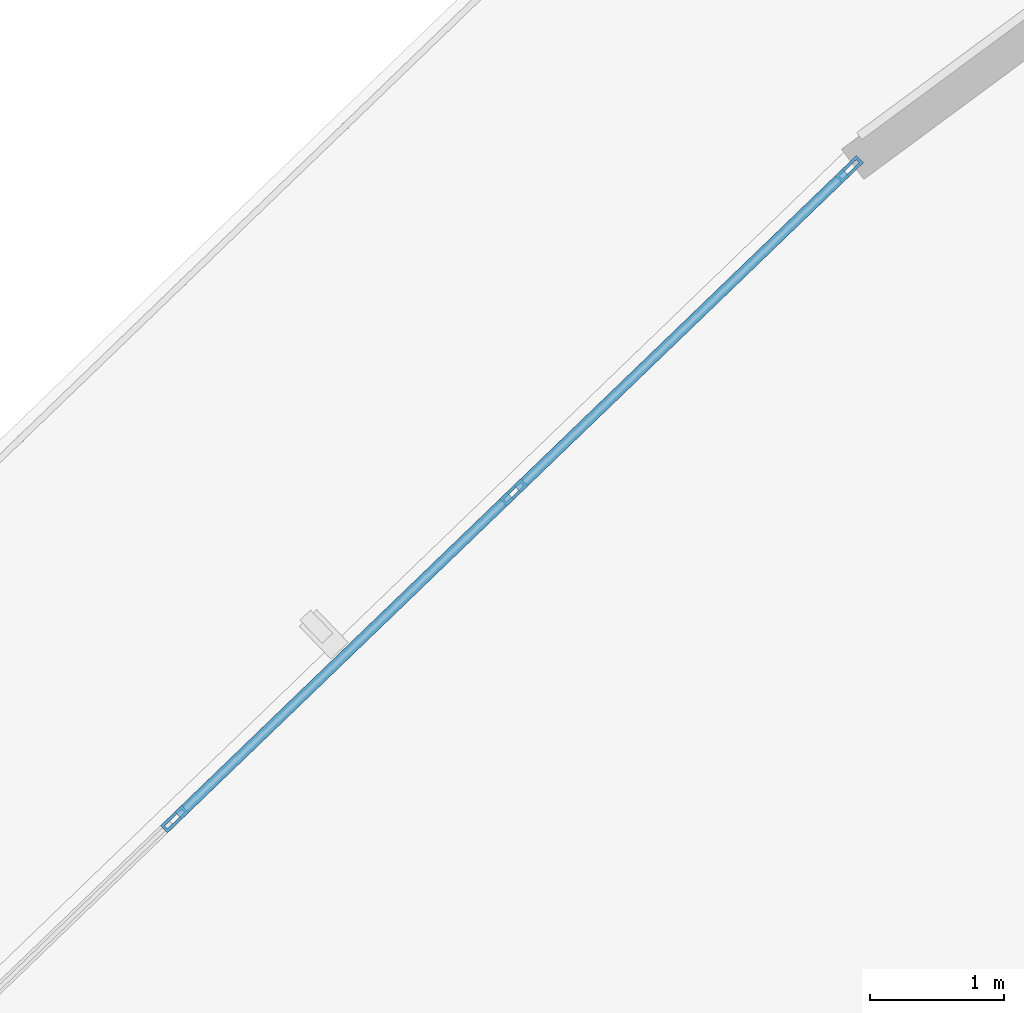
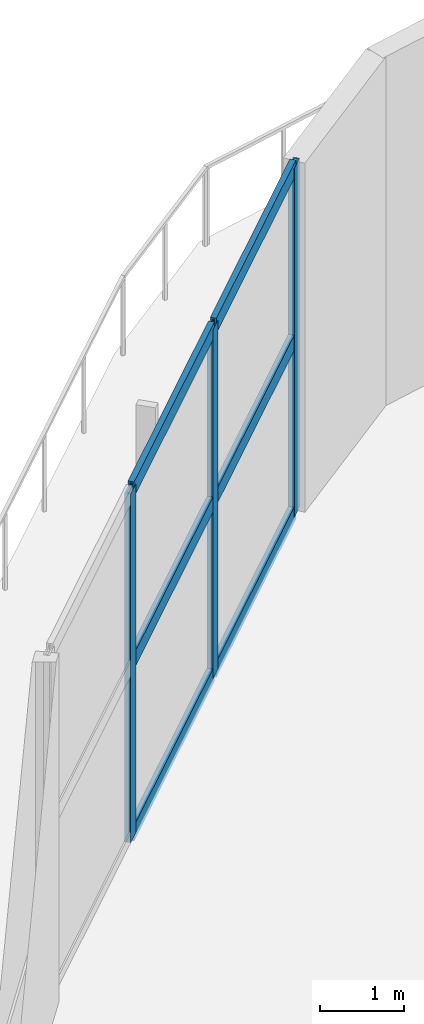
# One storey, part 10 of 25: 9 members, 1 element without a shape of its own.
"""IFC4 building model written with IfcOpenShell, lengths in metres."""

import ifcopenshell
import ifcopenshell.guid

model = None  # the IFC model being written
_history = None  # IfcOwnerHistory: only IFC2X3 demands one
_inside = {}  # id of a spatial element -> (the spatial element, [elements in it])
_under = {}  # id of a project, library or spatial element -> (it, [spatial elements below it])
_declared = {}  # id of a project -> (the project, [libraries it declares])
_typed = {}  # id of a type object -> (the type object, [elements of that type])
_made_of = {}  # id of a material, layer set ... -> (it, [elements and type objects made of it])


def new_model(schema):
    """Start an empty IFC model of exactly this schema.

    Asked for "IFC4X3", IfcOpenShell would pick the latest addendum, in which some entities
    have other attributes; the version numbers below select the first issue.
    IFC2X3 requires an IfcOwnerHistory on every rooted entity: one is made here for all.
    """
    global model, _history
    if schema == "IFC4X3":
        model = ifcopenshell.file(schema_version=(4, 3, 0, 0))
    else:
        model = ifcopenshell.file(schema=schema)
    _inside.clear()
    _under.clear()
    _declared.clear()
    _typed.clear()
    _made_of.clear()
    _history = None
    if model.schema == "IFC2X3":
        org = make("IfcOrganization", Name="unknown")
        user = make(
            "IfcPersonAndOrganization",
            ThePerson=make("IfcPerson", FamilyName="unknown"),
            TheOrganization=org,
        )
        app = make(
            "IfcApplication",
            ApplicationDeveloper=org,
            Version="unknown",
            ApplicationFullName="unknown",
            ApplicationIdentifier="unknown",
        )
        _history = make(
            "IfcOwnerHistory",
            OwningUser=user,
            OwningApplication=app,
            ChangeAction="ADDED",
            CreationDate=0,
        )
    return model


def make(cls, **values):
    """One entity of the class cls with the attributes given. An attribute that is None is left unset."""
    return model.create_entity(
        cls, **{name: value for name, value in values.items() if value is not None}
    )


def rooted(cls, **values):
    """An entity with a GlobalId (a new one), such as an element, a storey or a relation."""
    return make(cls, GlobalId=ifcopenshell.guid.new(), OwnerHistory=_history, **values)


def si_unit(unit_type, name, prefix=None):
    """IfcSIUnit, for example si_unit("LENGTHUNIT", "METRE", prefix="MILLI")."""
    return make("IfcSIUnit", UnitType=unit_type, Prefix=prefix, Name=name)


def assignment(units):
    """IfcUnitAssignment: the units of a project."""
    return None if units is None else make("IfcUnitAssignment", Units=units)


def point(xyz):
    """IfcCartesianPoint."""
    return None if xyz is None else make("IfcCartesianPoint", Coordinates=xyz)


def direction(xyz):
    """IfcDirection."""
    return None if xyz is None else make("IfcDirection", DirectionRatios=xyz)


def frame(location, z_axis=None, x_axis=None):
    """IfcAxis2Placement3D, a coordinate frame: its origin and axes. An axis left out is left unset."""
    return make(
        "IfcAxis2Placement3D",
        Location=point(location),
        Axis=direction(z_axis),
        RefDirection=direction(x_axis),
    )


def frame_2d(location, x_axis=None):
    """IfcAxis2Placement2D, a coordinate frame in the plane: its origin and x axis."""
    return make(
        "IfcAxis2Placement2D", Location=point(location), RefDirection=direction(x_axis)
    )


def origin():
    """The frame at (0, 0, 0) with its axes left unset."""
    return frame((0.0, 0.0, 0.0))


def origin_2d():
    """The frame at (0, 0) in the plane with its x axis left unset."""
    return frame_2d((0.0, 0.0))


def place(relative_to, where):
    """IfcLocalPlacement: puts the frame where relative to a parent placement (None: the world)."""
    return make(
        "IfcLocalPlacement", PlacementRelTo=relative_to, RelativePlacement=where
    )


def context(
    kind, dimensions, precision=None, world=None, true_north=None, identifier=None
):
    """IfcGeometricRepresentationContext, for example the 3D "Model" context."""
    return make(
        "IfcGeometricRepresentationContext",
        ContextIdentifier=identifier,
        ContextType=kind,
        CoordinateSpaceDimension=dimensions,
        Precision=precision,
        WorldCoordinateSystem=world,
        TrueNorth=true_north,
    )


def subcontext(parent, identifier, kind, view, scale=None):
    """IfcGeometricRepresentationSubContext, for example "Body" below "Model"."""
    return make(
        "IfcGeometricRepresentationSubContext",
        ContextIdentifier=identifier,
        ContextType=kind,
        ParentContext=parent,
        TargetScale=scale,
        TargetView=view,
    )


def project(units=None, contexts=None):
    """IfcProject with its units and contexts."""
    return rooted(
        "IfcProject",
        Name="project",
        RepresentationContexts=contexts,
        UnitsInContext=assignment(units),
    )


def spatial(cls, under=None, at=None, **own):
    """A site, building, storey or space (cls), placed at a placement, below another one or the project."""
    s = rooted(cls, ObjectPlacement=at, **own)
    if under is not None:
        _under.setdefault(under.id(), (under, []))[1].append(s)
    return s


def profile(cls, at=None, kind="AREA", **sizes):
    """A parametric profile (cls). Its sizes go by their IFC names, for example OverallWidth=200.0."""
    return make(cls, ProfileType=kind, Position=at, **sizes)


def hollow_rectangle(**sizes):
    """IfcRectangleHollowProfileDef."""
    return profile("IfcRectangleHollowProfileDef", **sizes)


def extrude(swept, where, along, depth):
    """IfcExtrudedAreaSolid: the profile swept, set in the frame where, extruded along a direction by depth."""
    return make(
        "IfcExtrudedAreaSolid",
        SweptArea=swept,
        Position=where,
        ExtrudedDirection=direction(along),
        Depth=depth,
    )


def shape(context_of_items, identifier, shape_type, items):
    """IfcShapeRepresentation: the items that make up one representation, for example the "Body"."""
    return make(
        "IfcShapeRepresentation",
        ContextOfItems=context_of_items,
        RepresentationIdentifier=identifier,
        RepresentationType=shape_type,
        Items=items,
    )


def source(mapping_origin, context_of_items, identifier, shape_type, items):
    """IfcRepresentationMap: a shape defined once, which mapped items show again and again."""
    return make(
        "IfcRepresentationMap",
        MappingOrigin=mapping_origin,
        MappedRepresentation=shape(context_of_items, identifier, shape_type, items),
    )


def transform(
    local_origin,
    x_axis=None,
    y_axis=None,
    z_axis=None,
    scale=None,
    scale2=None,
    scale3=None,
    uniform=True,
):
    """IfcCartesianTransformationOperator3D, or its non-uniform kind. x_axis, y_axis, z_axis: its Axis1, 2, 3."""
    if uniform:
        return make(
            "IfcCartesianTransformationOperator3D",
            Axis1=direction(x_axis),
            Axis2=direction(y_axis),
            LocalOrigin=point(local_origin),
            Scale=scale,
            Axis3=direction(z_axis),
        )
    return make(
        "IfcCartesianTransformationOperator3DnonUniform",
        Axis1=direction(x_axis),
        Axis2=direction(y_axis),
        LocalOrigin=point(local_origin),
        Scale=scale,
        Axis3=direction(z_axis),
        Scale2=scale2,
        Scale3=scale3,
    )


def mapped(mapping_source, mapping_target):
    """IfcMappedItem: shows the shape of a source again, moved by a transform."""
    return make(
        "IfcMappedItem", MappingSource=mapping_source, MappingTarget=mapping_target
    )


def material(Name=None, Category=None):
    """IfcMaterial."""
    return make("IfcMaterial", Name=Name, Category=Category)


def layer(
    of_material, thickness, ventilated=None, Name=None, Category=None, Priority=None
):
    """IfcMaterialLayer: one layer of a wall or slab, of a material (None: an air gap)."""
    return make(
        "IfcMaterialLayer",
        Material=of_material,
        LayerThickness=thickness,
        IsVentilated=ventilated,
        Name=Name,
        Category=Category,
        Priority=Priority,
    )


def layer_set(layers, Name=None):
    """IfcMaterialLayerSet."""
    return make("IfcMaterialLayerSet", MaterialLayers=layers, LayerSetName=Name)


def material_profile(
    of_material, cross_section, Name=None, Category=None, Priority=None
):
    """IfcMaterialProfile: a cross section and its material."""
    return make(
        "IfcMaterialProfile",
        Name=Name,
        Material=of_material,
        Profile=cross_section,
        Priority=Priority,
        Category=Category,
    )


def profile_set(profiles, Name=None, composite=None):
    """IfcMaterialProfileSet."""
    return make(
        "IfcMaterialProfileSet",
        Name=Name,
        MaterialProfiles=profiles,
        CompositeProfile=composite,
    )


def made_of(thing, what):
    """Note that an element or type object is made of a material, layer set ...; save() writes the relation."""
    if what is not None:
        _made_of.setdefault(what.id(), (what, []))[1].append(thing)
    return thing


def type_object(cls, material=None, **own):
    """A type object (cls), such as IfcWallType, which elements share."""
    return made_of(rooted(cls, **own), material)


def type_shapes(of_type, sources):
    """Give a type object the sources (RepresentationMaps) that its elements show as mapped items."""
    of_type.RepresentationMaps = sources


def element(
    cls,
    number,
    at=None,
    inside=None,
    cuts=None,
    type_object=None,
    material=None,
    context=None,
    identifier="Body",
    shape_type=None,
    held_by="IfcProductDefinitionShape",
    body=None,
    shapes=None,
    **own,
):
    """One element of the class cls, such as IfcWall. Its Tag is "e" and its number.

    at: its placement. inside: the storey or other place that contains it. cuts: it is an
    opening in that element (IfcRelVoidsElement). A single representation is given by context,
    identifier, shape_type and body (its items); several are given by shapes. held_by: the class
    of the entity that holds the representations. save() writes the other relations.
    """
    e = rooted(cls, Tag="e%d" % number, ObjectPlacement=at, **own)
    if body is not None:
        shapes = [shape(context, identifier, shape_type, body)]
    if shapes is not None:
        e.Representation = make(held_by, Representations=shapes)
    if inside is not None:
        _inside.setdefault(inside.id(), (inside, []))[1].append(e)
    if cuts is not None:
        rooted(
            "IfcRelVoidsElement", RelatingBuildingElement=cuts, RelatedOpeningElement=e
        )
    if type_object is not None:
        _typed.setdefault(type_object.id(), (type_object, []))[1].append(e)
    return made_of(e, material)


def aggregate(whole, parts):
    """IfcRelAggregates: a whole, such as a stair, and the parts it consists of."""
    return rooted("IfcRelAggregates", RelatingObject=whole, RelatedObjects=parts)


def save(model, path):
    """Write the relations noted so far, then the file.

    IfcRelAggregates (storeys below a building ...), IfcRelContainedInSpatialStructure (elements
    in a storey), IfcRelDefinesByType, IfcRelAssociatesMaterial and IfcRelDeclares: one each for
    every whole, place, type object, material and project.
    """
    for whole, parts in _under.values():
        aggregate(whole, parts)
    for where, things in _inside.values():
        rooted(
            "IfcRelContainedInSpatialStructure",
            RelatedElements=things,
            RelatingStructure=where,
        )
    for kind, things in _typed.values():
        rooted("IfcRelDefinesByType", RelatedObjects=things, RelatingType=kind)
    for what, things in _made_of.values():
        rooted("IfcRelAssociatesMaterial", RelatedObjects=things, RelatingMaterial=what)
    for by, libraries in _declared.values():
        rooted("IfcRelDeclares", RelatingContext=by, RelatedDefinitions=libraries)
    model.write(path)


model = new_model("IFC4")

# Units and contexts
model_context = context("Model", 3, precision=1e-05, world=origin(), true_north=direction((0.0, 1.0)))
body_context = subcontext(model_context, "Body", "Model", "MODEL_VIEW")
ifc_project = project(units=[si_unit("LENGTHUNIT", "METRE"), si_unit("AREAUNIT", "SQUARE_METRE"), si_unit("VOLUMEUNIT", "CUBIC_METRE"), si_unit("PLANEANGLEUNIT", "RADIAN"), si_unit("MASSUNIT", "GRAM", prefix="KILO")], contexts=[model_context])

# Site, building, storey
site_placement = place(None, origin())
site = spatial("IfcSite", under=ifc_project, at=site_placement, CompositionType="ELEMENT")
building_placement = place(site_placement, origin())
building = spatial("IfcBuilding", under=site, at=building_placement, Name="Tavelor Broadcast Tower", CompositionType="ELEMENT")
storey_placement = place(building_placement, frame((0.0, 0.0, 11.39990234375)))
storey = spatial("IfcBuildingStorey", under=building, at=storey_placement, Name="L02", CompositionType="ELEMENT", Elevation=11.39990234375)

# Curtain wall, members
ifc_material = material(Name="Architectural Anodized Aluminium", Category="aluminium")
ifc_layer = layer(ifc_material, 0.219970703125)
ifc_layer_set = layer_set([ifc_layer], Name="Architectural Anodized Aluminium")
curtain_wall_type = type_object("IfcCurtainWallType", Name="Podium Double-Height Broadcast Curtain Wall CW01", PredefinedType="NOTDEFINED", material=ifc_layer_set)
curtain_wall_placement = place(storey_placement, origin())
curtain_wall = element("IfcCurtainWall", 1, at=curtain_wall_placement, inside=storey, type_object=curtain_wall_type, Name="L02 Curtain Wall CW01 Run 7", PredefinedType="NOTDEFINED")
ifc_material_profile_1 = material_profile(ifc_material, hollow_rectangle(XDim=0.074951171875, YDim=0.219970703125, WallThickness=0.02197265625, at=origin_2d()), Name="RHS 75x220x22")
ifc_profile_set_1 = profile_set([ifc_material_profile_1], Name="Architectural Anodized Aluminium")
member_type_1 = type_object("IfcMemberType", Name="CW01 Extruded Aluminium Mullion 75x220", PredefinedType="MULLION", material=ifc_profile_set_1)
shared_shape_1 = source(origin(), body_context, "Body", "SweptSolid", [
    extrude(hollow_rectangle(XDim=0.074951171875, YDim=0.219970703125, WallThickness=0.02197265625, at=origin_2d()), origin(), (0.0, 0.0, 1.0), 5.050048828125),
])
type_shapes(member_type_1, [shared_shape_1])
member_1_placement = place(storey_placement, frame((45.730224609375, 83.78076171875, 0.0), z_axis=(0.0, 0.0, 1.0), x_axis=(0.693652427725, -0.72030987048, 0.0)))
member_1 = element("IfcMember", 2, at=member_1_placement, type_object=member_type_1, Name="CW01 mullion 1", PredefinedType="MULLION", context=body_context, shape_type="MappedRepresentation", body=[
    mapped(shared_shape_1, transform((0.0, 0.0, 0.0), scale=1.0)),
])
member_2_placement = place(storey_placement, frame((43.22265625, 81.365966796875, 0.0), z_axis=(0.0, 0.0, 1.0), x_axis=(0.693652427725, -0.72030987048, 0.0)))
member_2 = element("IfcMember", 3, at=member_2_placement, type_object=member_type_1, Name="CW01 mullion 2", PredefinedType="MULLION", context=body_context, shape_type="MappedRepresentation", body=[
    mapped(shared_shape_1, transform((0.0, 0.0, 0.0), scale=1.0)),
])
member_3_placement = place(storey_placement, frame((40.688232421875, 78.92529296875, 0.0), z_axis=(0.0, 0.0, 1.0), x_axis=(0.693652427725, -0.72030987048, 0.0)))
member_3 = element("IfcMember", 4, at=member_3_placement, type_object=member_type_1, Name="CW01 mullion 3", PredefinedType="MULLION", context=body_context, shape_type="MappedRepresentation", body=[
    mapped(shared_shape_1, transform((0.0, 0.0, 0.0), scale=1.0)),
])
ifc_material_profile_2 = material_profile(ifc_material, hollow_rectangle(XDim=0.074951171875, YDim=0.219970703125, WallThickness=0.02197265625, at=origin_2d()), Name="RHS 75x220x22")
ifc_profile_set_2 = profile_set([ifc_material_profile_2], Name="Architectural Anodized Aluminium")
member_type_2 = type_object("IfcMemberType", Name="CW01 Extruded Aluminium Transom 75x220", PredefinedType="USERDEFINED", material=ifc_profile_set_2)
shared_shape_2 = source(origin(), body_context, "Body", "SweptSolid", [
    extrude(hollow_rectangle(XDim=0.074951171875, YDim=0.219970703125, WallThickness=0.02197265625, at=origin_2d()), origin(), (0.0, 0.0, 1.0), 3.40625),
])
member_4_placement = place(storey_placement, frame((45.703369140625, 83.7548828125, 0.03759765625), z_axis=(-0.720312255461, -0.69364995108, 0.0), x_axis=(0.69364995108, -0.720312255461, 0.0)))
member_4 = element("IfcMember", 5, at=member_4_placement, type_object=member_type_2, Name="CW01 transom 1.1", ObjectType="TRANSOM", PredefinedType="USERDEFINED", context=body_context, shape_type="MappedRepresentation", body=[
    mapped(shared_shape_2, transform((0.0, 0.0, 0.0), scale=1.0)),
])
member_5_placement = place(storey_placement, frame((45.703369140625, 83.7548828125, 2.525146484375), z_axis=(-0.720312255461, -0.69364995108, 0.0), x_axis=(0.69364995108, -0.720312255461, 0.0)))
member_5 = element("IfcMember", 6, at=member_5_placement, type_object=member_type_2, Name="CW01 transom 1.2", ObjectType="TRANSOM", PredefinedType="USERDEFINED", context=body_context, shape_type="MappedRepresentation", body=[
    mapped(shared_shape_2, transform((0.0, 0.0, 0.0), scale=1.0)),
])
member_6_placement = place(storey_placement, frame((45.703369140625, 83.7548828125, 5.0126953125), z_axis=(-0.720312255461, -0.69364995108, 0.0), x_axis=(0.69364995108, -0.720312255461, 0.0)))
member_6 = element("IfcMember", 7, at=member_6_placement, type_object=member_type_2, Name="CW01 transom 1.3", ObjectType="TRANSOM", PredefinedType="USERDEFINED", context=body_context, shape_type="MappedRepresentation", body=[
    mapped(shared_shape_2, transform((0.0, 0.0, 0.0), scale=1.0)),
])
shared_shape_3 = source(origin(), body_context, "Body", "SweptSolid", [
    extrude(hollow_rectangle(XDim=0.074951171875, YDim=0.219970703125, WallThickness=0.02197265625, at=origin_2d()), origin(), (0.0, 0.0, 1.0), 3.44384765625),
])
type_shapes(member_type_2, [shared_shape_2, shared_shape_3])
member_7_placement = place(storey_placement, frame((43.19580078125, 81.340087890625, 0.03759765625), z_axis=(-0.720308406876, -0.693653947573, 0.0), x_axis=(0.693653947573, -0.720308406876, 0.0)))
member_7 = element("IfcMember", 8, at=member_7_placement, type_object=member_type_2, Name="CW01 transom 2.1", ObjectType="TRANSOM", PredefinedType="USERDEFINED", context=body_context, shape_type="MappedRepresentation", body=[
    mapped(shared_shape_3, transform((0.0, 0.0, 0.0), scale=1.0)),
])
member_8_placement = place(storey_placement, frame((43.19580078125, 81.340087890625, 2.525146484375), z_axis=(-0.720308406876, -0.693653947573, 0.0), x_axis=(0.693653947573, -0.720308406876, 0.0)))
member_8 = element("IfcMember", 9, at=member_8_placement, type_object=member_type_2, Name="CW01 transom 2.2", ObjectType="TRANSOM", PredefinedType="USERDEFINED", context=body_context, shape_type="MappedRepresentation", body=[
    mapped(shared_shape_3, transform((0.0, 0.0, 0.0), scale=1.0)),
])
member_9_placement = place(storey_placement, frame((43.19580078125, 81.340087890625, 5.0126953125), z_axis=(-0.720308406876, -0.693653947573, 0.0), x_axis=(0.693653947573, -0.720308406876, 0.0)))
member_9 = element("IfcMember", 10, at=member_9_placement, type_object=member_type_2, Name="CW01 transom 2.3", ObjectType="TRANSOM", PredefinedType="USERDEFINED", context=body_context, shape_type="MappedRepresentation", body=[
    mapped(shared_shape_3, transform((0.0, 0.0, 0.0), scale=1.0)),
])
aggregate(curtain_wall, [member_1, member_2, member_3, member_4, member_5, member_6, member_7, member_8, member_9])

save(model, "model.ifc")
